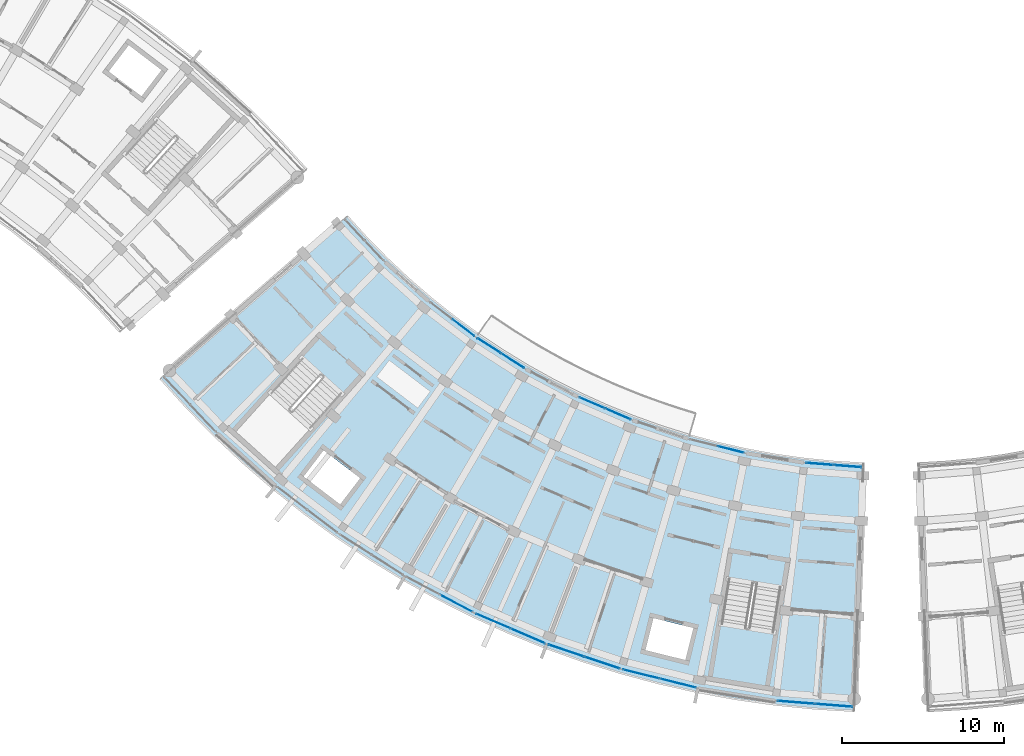
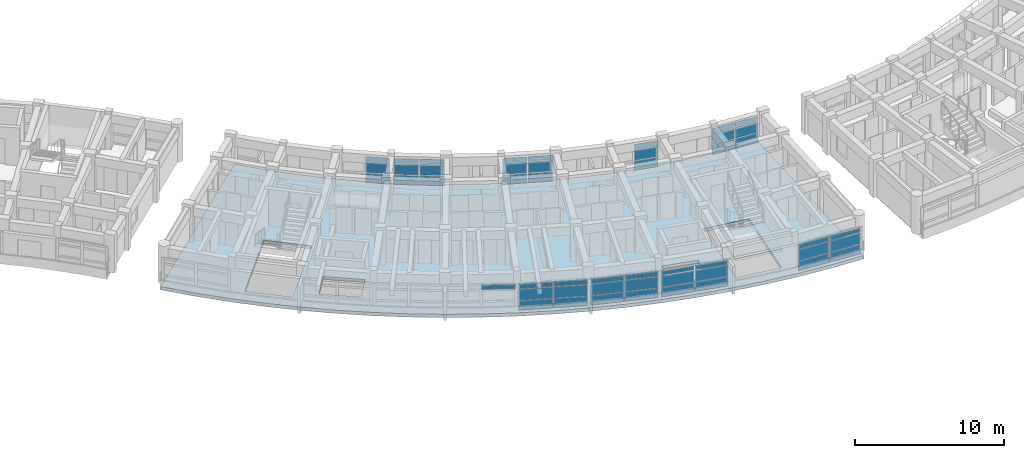
# One storey, part 23 of 56: 49 plates, 2 slabs, 11 elements without a shape of their own.
"""IFC4 building model written with IfcOpenShell, lengths in metres."""

from ifc_helpers import new_model, si_unit, direction, frame, origin, origin_2d, place, context, subcontext, project, spatial, polyline, rectangle, outline, extrude, material, layer, layer_set, type_object, element, aggregate, save


model = new_model("IFC4")

# Units and contexts
model_context = context("Model", 3, precision=1e-05, world=origin(), true_north=direction((0.0, 1.0)))
body_context = subcontext(model_context, "Body", "Model", "MODEL_VIEW")
ifc_project = project(units=[si_unit("LENGTHUNIT", "METRE"), si_unit("AREAUNIT", "SQUARE_METRE"), si_unit("VOLUMEUNIT", "CUBIC_METRE"), si_unit("PLANEANGLEUNIT", "RADIAN"), si_unit("MASSUNIT", "GRAM", prefix="KILO")], contexts=[model_context])

# Site, building, storey
site_placement = place(None, origin())
site = spatial("IfcSite", under=ifc_project, at=site_placement, CompositionType="ELEMENT")
building_placement = place(site_placement, origin())
building = spatial("IfcBuilding", under=site, at=building_placement, Name="Zimvara Arc Housing Community", CompositionType="ELEMENT")
storey_placement = place(building_placement, frame((0.0, 0.0, 11.199951171875)))
storey = spatial("IfcBuildingStorey", under=building, at=storey_placement, Name="L03", CompositionType="ELEMENT", Elevation=11.199951171875)

# Curtain wall, plates
ifc_material_1 = material(Name="Anodised Aluminium AW-6063", Category="aluminium")
curtain_wall_type_1 = type_object("IfcCurtainWallType", Name="CW-SYS-08", PredefinedType="USERDEFINED", material=ifc_material_1)
curtain_wall_1_placement = place(storey_placement, origin())
curtain_wall_1 = element("IfcCurtainWall", 1, at=curtain_wall_1_placement, inside=storey, type_object=curtain_wall_type_1, Name="cw:blkC:L03:in:b3", ObjectType="CURTAIN WALL", PredefinedType="USERDEFINED")
ifc_material_2 = material(Name="Pale-Gold Anodised Aluminium Spandrel Panel", Category="aluminium")
ifc_layer_1 = layer(ifc_material_2, 0.035888671875)
ifc_layer_set_1 = layer_set([ifc_layer_1], Name="Pale-Gold Anodised Aluminium Spandrel Panel")
plate_type_1 = type_object("IfcPlateType", Name="CWP-GLD-36", PredefinedType="CURTAIN_PANEL", material=ifc_layer_set_1)
plate_1_placement = place(storey_placement, frame((101.21875, 72.775634765625, 0.065185546875), z_axis=(0.0, 0.0, 1.0), x_axis=(0.842264751752, -0.539064085203, 0.0)))
plate_1 = element("IfcPlate", 2, at=plate_1_placement, type_object=plate_type_1, Name="CW08 panel 1.1", PredefinedType="CURTAIN_PANEL", context=body_context, shape_type="SweptSolid", body=[
    extrude(rectangle(XDim=1.664306640625, YDim=0.035888671875, at=origin_2d()), origin(), (0.0, 0.0, 1.0), 0.75244140625),
])
plate_2_placement = place(storey_placement, frame((101.21875, 72.775634765625, 0.88232421875), z_axis=(0.0, 0.0, 1.0), x_axis=(0.842264751752, -0.539064085203, 0.0)))
plate_2 = element("IfcPlate", 3, at=plate_2_placement, type_object=plate_type_1, Name="CW08 panel 1.2", PredefinedType="CURTAIN_PANEL", context=body_context, shape_type="SweptSolid", body=[
    extrude(rectangle(XDim=1.664306640625, YDim=0.035888671875, at=origin_2d()), origin(), (0.0, 0.0, 1.0), 0.885009765625),
])
plate_3_placement = place(storey_placement, frame((101.21875, 72.775634765625, 1.83251953125), z_axis=(0.0, 0.0, 1.0), x_axis=(0.842264751752, -0.539064085203, 0.0)))
plate_3 = element("IfcPlate", 4, at=plate_3_placement, type_object=plate_type_1, Name="CW08 panel 1.3", PredefinedType="CURTAIN_PANEL", context=body_context, shape_type="SweptSolid", body=[
    extrude(rectangle(XDim=1.664306640625, YDim=0.035888671875, at=origin_2d()), origin(), (0.0, 0.0, 1.0), 0.3525390625),
])
plate_4_placement = place(storey_placement, frame((102.67529296875, 71.843505859375, 0.065185546875), z_axis=(0.0, 0.0, 1.0), x_axis=(0.842264751752, -0.539064085203, 0.0)))
plate_4 = element("IfcPlate", 5, at=plate_4_placement, type_object=plate_type_1, Name="CW08 panel 2.1", PredefinedType="CURTAIN_PANEL", context=body_context, shape_type="SweptSolid", body=[
    extrude(rectangle(XDim=1.664306640625, YDim=0.035888671875, at=origin_2d()), origin(), (0.0, 0.0, 1.0), 0.75244140625),
])
plate_5_placement = place(storey_placement, frame((102.67529296875, 71.843505859375, 0.88232421875), z_axis=(0.0, 0.0, 1.0), x_axis=(0.842264751752, -0.539064085203, 0.0)))
plate_5 = element("IfcPlate", 6, at=plate_5_placement, type_object=plate_type_1, Name="CW08 panel 2.2", PredefinedType="CURTAIN_PANEL", context=body_context, shape_type="SweptSolid", body=[
    extrude(rectangle(XDim=1.664306640625, YDim=0.035888671875, at=origin_2d()), origin(), (0.0, 0.0, 1.0), 0.885009765625),
])
plate_6_placement = place(storey_placement, frame((102.67529296875, 71.843505859375, 1.83251953125), z_axis=(0.0, 0.0, 1.0), x_axis=(0.842264751752, -0.539064085203, 0.0)))
plate_6 = element("IfcPlate", 7, at=plate_6_placement, type_object=plate_type_1, Name="CW08 panel 2.3", PredefinedType="CURTAIN_PANEL", context=body_context, shape_type="SweptSolid", body=[
    extrude(rectangle(XDim=1.664306640625, YDim=0.035888671875, at=origin_2d()), origin(), (0.0, 0.0, 1.0), 0.3525390625),
])
aggregate(curtain_wall_1, [plate_1, plate_2, plate_3, plate_4, plate_5, plate_6])

ifc_material_3 = material(Name="Anodised Aluminium AW-6063", Category="aluminium")
curtain_wall_type_2 = type_object("IfcCurtainWallType", Name="CW-SYS-04", PredefinedType="USERDEFINED", material=ifc_material_3)
curtain_wall_2_placement = place(storey_placement, origin())
curtain_wall_2 = element("IfcCurtainWall", 8, at=curtain_wall_2_placement, inside=storey, type_object=curtain_wall_type_2, Name="cw:blkC:L03:out:b6", ObjectType="CURTAIN WALL", PredefinedType="USERDEFINED")
plate_7_placement = place(storey_placement, frame((105.970458984375, 53.993408203125, 0.065185546875), z_axis=(0.0, 0.0, 1.0), x_axis=(0.947879647164, -0.318628583921, 0.0)))
plate_7 = element("IfcPlate", 9, at=plate_7_placement, type_object=plate_type_1, Name="CW04 panel 1.1", PredefinedType="CURTAIN_PANEL", context=body_context, shape_type="SweptSolid", body=[
    extrude(rectangle(XDim=2.266845703125, YDim=0.035888671875, at=origin_2d()), origin(), (0.0, 0.0, 1.0), 0.75244140625),
])
plate_8_placement = place(storey_placement, frame((105.970458984375, 53.993408203125, 0.88232421875), z_axis=(0.0, 0.0, 1.0), x_axis=(0.947879647164, -0.318628583921, 0.0)))
plate_8 = element("IfcPlate", 10, at=plate_8_placement, type_object=plate_type_1, Name="CW04 panel 1.2", PredefinedType="CURTAIN_PANEL", context=body_context, shape_type="SweptSolid", body=[
    extrude(rectangle(XDim=2.266845703125, YDim=0.035888671875, at=origin_2d()), origin(), (0.0, 0.0, 1.0), 0.885009765625),
])
plate_9_placement = place(storey_placement, frame((105.970458984375, 53.993408203125, 1.83251953125), z_axis=(0.0, 0.0, 1.0), x_axis=(0.947879647164, -0.318628583921, 0.0)))
plate_9 = element("IfcPlate", 11, at=plate_9_placement, type_object=plate_type_1, Name="CW04 panel 1.3", PredefinedType="CURTAIN_PANEL", context=body_context, shape_type="SweptSolid", body=[
    extrude(rectangle(XDim=2.266845703125, YDim=0.035888671875, at=origin_2d()), origin(), (0.0, 0.0, 1.0), 0.3525390625),
])
plate_10_placement = place(storey_placement, frame((108.180908203125, 53.250244140625, 0.065185546875), z_axis=(0.0, 0.0, 1.0), x_axis=(0.947879647164, -0.318628583921, 0.0)))
plate_10 = element("IfcPlate", 12, at=plate_10_placement, type_object=plate_type_1, Name="CW04 panel 2.1", PredefinedType="CURTAIN_PANEL", context=body_context, shape_type="SweptSolid", body=[
    extrude(rectangle(XDim=2.266845703125, YDim=0.035888671875, at=origin_2d()), origin(), (0.0, 0.0, 1.0), 0.75244140625),
])
plate_11_placement = place(storey_placement, frame((108.180908203125, 53.250244140625, 0.88232421875), z_axis=(0.0, 0.0, 1.0), x_axis=(0.947879647164, -0.318628583921, 0.0)))
plate_11 = element("IfcPlate", 13, at=plate_11_placement, type_object=plate_type_1, Name="CW04 panel 2.2", PredefinedType="CURTAIN_PANEL", context=body_context, shape_type="SweptSolid", body=[
    extrude(rectangle(XDim=2.266845703125, YDim=0.035888671875, at=origin_2d()), origin(), (0.0, 0.0, 1.0), 0.885009765625),
])
plate_12_placement = place(storey_placement, frame((108.180908203125, 53.250244140625, 1.83251953125), z_axis=(0.0, 0.0, 1.0), x_axis=(0.947879647164, -0.318628583921, 0.0)))
plate_12 = element("IfcPlate", 14, at=plate_12_placement, type_object=plate_type_1, Name="CW04 panel 2.3", PredefinedType="CURTAIN_PANEL", context=body_context, shape_type="SweptSolid", body=[
    extrude(rectangle(XDim=2.266845703125, YDim=0.035888671875, at=origin_2d()), origin(), (0.0, 0.0, 1.0), 0.3525390625),
])
aggregate(curtain_wall_2, [plate_7, plate_8, plate_9, plate_10, plate_11, plate_12])

curtain_wall_3_placement = place(storey_placement, origin())
curtain_wall_3 = element("IfcCurtainWall", 15, at=curtain_wall_3_placement, inside=storey, type_object=curtain_wall_type_1, Name="cw:blkC:L03:in:b9", ObjectType="CURTAIN WALL", PredefinedType="USERDEFINED")
plate_13_placement = place(storey_placement, frame((121.589111328125, 65.485595703125, 0.065185546875), z_axis=(0.0, 0.0, 1.0), x_axis=(0.996862343506, -0.079154709897, 0.0)))
plate_13 = element("IfcPlate", 16, at=plate_13_placement, type_object=plate_type_1, Name="CW08 panel 1.1", PredefinedType="CURTAIN_PANEL", context=body_context, shape_type="SweptSolid", body=[
    extrude(rectangle(XDim=1.664306640625, YDim=0.035888671875, at=origin_2d()), origin(), (0.0, 0.0, 1.0), 0.75244140625),
])
plate_14_placement = place(storey_placement, frame((121.589111328125, 65.485595703125, 0.88232421875), z_axis=(0.0, 0.0, 1.0), x_axis=(0.996862343506, -0.079154709897, 0.0)))
plate_14 = element("IfcPlate", 17, at=plate_14_placement, type_object=plate_type_1, Name="CW08 panel 1.2", PredefinedType="CURTAIN_PANEL", context=body_context, shape_type="SweptSolid", body=[
    extrude(rectangle(XDim=1.664306640625, YDim=0.035888671875, at=origin_2d()), origin(), (0.0, 0.0, 1.0), 0.885009765625),
])
plate_15_placement = place(storey_placement, frame((121.589111328125, 65.485595703125, 1.83251953125), z_axis=(0.0, 0.0, 1.0), x_axis=(0.996862343506, -0.079154709897, 0.0)))
plate_15 = element("IfcPlate", 18, at=plate_15_placement, type_object=plate_type_1, Name="CW08 panel 1.3", PredefinedType="CURTAIN_PANEL", context=body_context, shape_type="SweptSolid", body=[
    extrude(rectangle(XDim=1.664306640625, YDim=0.035888671875, at=origin_2d()), origin(), (0.0, 0.0, 1.0), 0.3525390625),
])
plate_16_placement = place(storey_placement, frame((123.31298828125, 65.3486328125, 0.065185546875), z_axis=(0.0, 0.0, 1.0), x_axis=(0.996862343506, -0.079154709897, 0.0)))
plate_16 = element("IfcPlate", 19, at=plate_16_placement, type_object=plate_type_1, Name="CW08 panel 2.1", PredefinedType="CURTAIN_PANEL", context=body_context, shape_type="SweptSolid", body=[
    extrude(rectangle(XDim=1.664306640625, YDim=0.035888671875, at=origin_2d()), origin(), (0.0, 0.0, 1.0), 0.75244140625),
])
plate_17_placement = place(storey_placement, frame((123.31298828125, 65.3486328125, 0.88232421875), z_axis=(0.0, 0.0, 1.0), x_axis=(0.996862343506, -0.079154709897, 0.0)))
plate_17 = element("IfcPlate", 20, at=plate_17_placement, type_object=plate_type_1, Name="CW08 panel 2.2", PredefinedType="CURTAIN_PANEL", context=body_context, shape_type="SweptSolid", body=[
    extrude(rectangle(XDim=1.664306640625, YDim=0.035888671875, at=origin_2d()), origin(), (0.0, 0.0, 1.0), 0.885009765625),
])
plate_18_placement = place(storey_placement, frame((123.31298828125, 65.3486328125, 1.83251953125), z_axis=(0.0, 0.0, 1.0), x_axis=(0.996862343506, -0.079154709897, 0.0)))
plate_18 = element("IfcPlate", 21, at=plate_18_placement, type_object=plate_type_1, Name="CW08 panel 2.3", PredefinedType="CURTAIN_PANEL", context=body_context, shape_type="SweptSolid", body=[
    extrude(rectangle(XDim=1.664306640625, YDim=0.035888671875, at=origin_2d()), origin(), (0.0, 0.0, 1.0), 0.3525390625),
])
aggregate(curtain_wall_3, [plate_13, plate_14, plate_15, plate_16, plate_17, plate_18])

# Curtain wall, plate
ifc_material_4 = material(Name="Anodised Aluminium AW-6063", Category="aluminium")
curtain_wall_type_3 = type_object("IfcCurtainWallType", Name="CW-SYS-01", PredefinedType="USERDEFINED", material=ifc_material_4)
curtain_wall_4_placement = place(storey_placement, origin())
curtain_wall_4 = element("IfcCurtainWall", 22, at=curtain_wall_4_placement, inside=storey, type_object=curtain_wall_type_3, Name="cw:blkC:L03:out:b4", ObjectType="CURTAIN WALL", PredefinedType="USERDEFINED")
ifc_material_5 = material(Name="Solar Control Low-E Double Glazing", Category="glass")
ifc_layer_2 = layer(ifc_material_5, 0.02392578125)
ifc_layer_set_2 = layer_set([ifc_layer_2], Name="Solar Control Low-E Double Glazing")
plate_type_2 = type_object("IfcPlateType", Name="CWP-GLZ-24", PredefinedType="CURTAIN_PANEL", material=ifc_layer_set_2)
plate_19_placement = place(storey_placement, frame((99.2109375, 56.89892578125, 1.83251953125), z_axis=(0.0, 0.0, 1.0), x_axis=(0.883438614651, -0.468546917761, 0.0)))
plate_19 = element("IfcPlate", 23, at=plate_19_placement, type_object=plate_type_2, Name="CW01 panel 2.3", PredefinedType="CURTAIN_PANEL", context=body_context, shape_type="SweptSolid", body=[
    extrude(rectangle(XDim=2.266845703125, YDim=0.02392578125, at=origin_2d()), origin(), (0.0, 0.0, 1.0), 0.3525390625),
])
aggregate(curtain_wall_4, [plate_19])

# Curtain wall, plates
ifc_material_6 = material(Name="Anodised Aluminium AW-6063", Category="aluminium")
curtain_wall_type_4 = type_object("IfcCurtainWallType", Name="CW-SYS-05", PredefinedType="USERDEFINED", material=ifc_material_6)
curtain_wall_5_placement = place(storey_placement, origin())
curtain_wall_5 = element("IfcCurtainWall", 24, at=curtain_wall_5_placement, inside=storey, type_object=curtain_wall_type_4, Name="cw:blkC:L03:out:b7", ObjectType="CURTAIN WALL", PredefinedType="USERDEFINED")
plate_20_placement = place(storey_placement, frame((110.59521484375, 52.547119140625, 0.065185546875), z_axis=(0.0, 0.0, 1.0), x_axis=(0.970716068627, -0.240229711131, 0.0)))
plate_20 = element("IfcPlate", 25, at=plate_20_placement, type_object=plate_type_2, Name="CW05 panel 1.1", PredefinedType="CURTAIN_PANEL", context=body_context, shape_type="SweptSolid", body=[
    extrude(rectangle(XDim=2.266845703125, YDim=0.02392578125, at=origin_2d()), origin(), (0.0, 0.0, 1.0), 0.75244140625),
])
plate_21_placement = place(storey_placement, frame((110.59521484375, 52.547119140625, 0.88232421875), z_axis=(0.0, 0.0, 1.0), x_axis=(0.970716068627, -0.240229711131, 0.0)))
plate_21 = element("IfcPlate", 26, at=plate_21_placement, type_object=plate_type_2, Name="CW05 panel 1.2", PredefinedType="CURTAIN_PANEL", context=body_context, shape_type="SweptSolid", body=[
    extrude(rectangle(XDim=2.266845703125, YDim=0.02392578125, at=origin_2d()), origin(), (0.0, 0.0, 1.0), 0.885009765625),
])
plate_22_placement = place(storey_placement, frame((110.59521484375, 52.547119140625, 1.83251953125), z_axis=(0.0, 0.0, 1.0), x_axis=(0.970716068627, -0.240229711131, 0.0)))
plate_22 = element("IfcPlate", 27, at=plate_22_placement, type_object=plate_type_2, Name="CW05 panel 1.3", PredefinedType="CURTAIN_PANEL", context=body_context, shape_type="SweptSolid", body=[
    extrude(rectangle(XDim=2.266845703125, YDim=0.02392578125, at=origin_2d()), origin(), (0.0, 0.0, 1.0), 0.3525390625),
])
plate_23_placement = place(storey_placement, frame((112.85888671875, 51.98681640625, 0.065185546875), z_axis=(0.0, 0.0, 1.0), x_axis=(0.970716068627, -0.240229711131, 0.0)))
plate_23 = element("IfcPlate", 28, at=plate_23_placement, type_object=plate_type_2, Name="CW05 panel 2.1", PredefinedType="CURTAIN_PANEL", context=body_context, shape_type="SweptSolid", body=[
    extrude(rectangle(XDim=2.266845703125, YDim=0.02392578125, at=origin_2d()), origin(), (0.0, 0.0, 1.0), 0.75244140625),
])
plate_24_placement = place(storey_placement, frame((112.85888671875, 51.98681640625, 0.88232421875), z_axis=(0.0, 0.0, 1.0), x_axis=(0.970716068627, -0.240229711131, 0.0)))
plate_24 = element("IfcPlate", 29, at=plate_24_placement, type_object=plate_type_2, Name="CW05 panel 2.2", PredefinedType="CURTAIN_PANEL", context=body_context, shape_type="SweptSolid", body=[
    extrude(rectangle(XDim=2.266845703125, YDim=0.02392578125, at=origin_2d()), origin(), (0.0, 0.0, 1.0), 0.885009765625),
])
plate_25_placement = place(storey_placement, frame((112.85888671875, 51.98681640625, 1.83251953125), z_axis=(0.0, 0.0, 1.0), x_axis=(0.970716068627, -0.240229711131, 0.0)))
plate_25 = element("IfcPlate", 30, at=plate_25_placement, type_object=plate_type_2, Name="CW05 panel 2.3", PredefinedType="CURTAIN_PANEL", context=body_context, shape_type="SweptSolid", body=[
    extrude(rectangle(XDim=2.266845703125, YDim=0.02392578125, at=origin_2d()), origin(), (0.0, 0.0, 1.0), 0.3525390625),
])
aggregate(curtain_wall_5, [plate_20, plate_21, plate_22, plate_23, plate_24, plate_25])

ifc_material_7 = material(Name="Anodised Aluminium AW-6063", Category="aluminium")
curtain_wall_type_5 = type_object("IfcCurtainWallType", Name="CW-SYS-06", PredefinedType="USERDEFINED", material=ifc_material_7)
curtain_wall_6_placement = place(storey_placement, origin())
curtain_wall_6 = element("IfcCurtainWall", 31, at=curtain_wall_6_placement, inside=storey, type_object=curtain_wall_type_5, Name="cw:blkC:L03:in:b2", ObjectType="CURTAIN WALL", PredefinedType="USERDEFINED")
ifc_material_8 = material(Name="Solar Control Low-E Double Glazing", Category="glass")
ifc_layer_3 = layer(ifc_material_8, 0.028076171875)
ifc_layer_set_3 = layer_set([ifc_layer_3], Name="Solar Control Low-E Double Glazing")
plate_type_3 = type_object("IfcPlateType", Name="CWP-GLZ-28", PredefinedType="CURTAIN_PANEL", material=ifc_layer_set_3)
plate_26_placement = place(storey_placement, frame((99.651123046875, 73.87158203125, 0.065185546875), z_axis=(0.0, 0.0, 1.0), x_axis=(0.795473543119, -0.605988318533, 0.0)))
plate_26 = element("IfcPlate", 32, at=plate_26_placement, type_object=plate_type_3, Name="CW06 panel 2.1", PredefinedType="CURTAIN_PANEL", context=body_context, shape_type="SweptSolid", body=[
    extrude(rectangle(XDim=1.664306640625, YDim=0.028076171875, at=origin_2d()), origin(), (0.0, 0.0, 1.0), 0.75244140625),
])
plate_27_placement = place(storey_placement, frame((99.651123046875, 73.87158203125, 0.88232421875), z_axis=(0.0, 0.0, 1.0), x_axis=(0.795473543119, -0.605988318533, 0.0)))
plate_27 = element("IfcPlate", 33, at=plate_27_placement, type_object=plate_type_3, Name="CW06 panel 2.2", PredefinedType="CURTAIN_PANEL", context=body_context, shape_type="SweptSolid", body=[
    extrude(rectangle(XDim=1.664306640625, YDim=0.028076171875, at=origin_2d()), origin(), (0.0, 0.0, 1.0), 0.885009765625),
])
plate_28_placement = place(storey_placement, frame((99.651123046875, 73.87158203125, 1.83251953125), z_axis=(0.0, 0.0, 1.0), x_axis=(0.795473543119, -0.605988318533, 0.0)))
plate_28 = element("IfcPlate", 34, at=plate_28_placement, type_object=plate_type_3, Name="CW06 panel 2.3", PredefinedType="CURTAIN_PANEL", context=body_context, shape_type="SweptSolid", body=[
    extrude(rectangle(XDim=1.664306640625, YDim=0.028076171875, at=origin_2d()), origin(), (0.0, 0.0, 1.0), 0.3525390625),
])
aggregate(curtain_wall_6, [plate_26, plate_27, plate_28])

ifc_material_9 = material(Name="Anodised Aluminium AW-6063", Category="aluminium")
curtain_wall_type_6 = type_object("IfcCurtainWallType", Name="CW-SYS-02", PredefinedType="USERDEFINED", material=ifc_material_9)
curtain_wall_7_placement = place(storey_placement, origin())
curtain_wall_7 = element("IfcCurtainWall", 35, at=curtain_wall_7_placement, inside=storey, type_object=curtain_wall_type_6, Name="cw:blkC:L03:out:b5", ObjectType="CURTAIN WALL", PredefinedType="USERDEFINED")
plate_29_placement = place(storey_placement, frame((101.47900390625, 55.812255859375, 0.065185546875), z_axis=(0.0, 0.0, 1.0), x_axis=(0.918722299363, -0.394904211998, 0.0)))
plate_29 = element("IfcPlate", 36, at=plate_29_placement, type_object=plate_type_3, Name="CW02 panel 1.1", PredefinedType="CURTAIN_PANEL", context=body_context, shape_type="SweptSolid", body=[
    extrude(rectangle(XDim=2.266845703125, YDim=0.028076171875, at=origin_2d()), origin(), (0.0, 0.0, 1.0), 0.75244140625),
])
plate_30_placement = place(storey_placement, frame((101.47900390625, 55.812255859375, 0.88232421875), z_axis=(0.0, 0.0, 1.0), x_axis=(0.918722299363, -0.394904211998, 0.0)))
plate_30 = element("IfcPlate", 37, at=plate_30_placement, type_object=plate_type_3, Name="CW02 panel 1.2", PredefinedType="CURTAIN_PANEL", context=body_context, shape_type="SweptSolid", body=[
    extrude(rectangle(XDim=2.266845703125, YDim=0.028076171875, at=origin_2d()), origin(), (0.0, 0.0, 1.0), 0.885009765625),
])
plate_31_placement = place(storey_placement, frame((101.47900390625, 55.812255859375, 1.83251953125), z_axis=(0.0, 0.0, 1.0), x_axis=(0.918722299363, -0.394904211998, 0.0)))
plate_31 = element("IfcPlate", 38, at=plate_31_placement, type_object=plate_type_3, Name="CW02 panel 1.3", PredefinedType="CURTAIN_PANEL", context=body_context, shape_type="SweptSolid", body=[
    extrude(rectangle(XDim=2.266845703125, YDim=0.028076171875, at=origin_2d()), origin(), (0.0, 0.0, 1.0), 0.3525390625),
])
plate_32_placement = place(storey_placement, frame((103.621337890625, 54.891357421875, 0.065185546875), z_axis=(0.0, 0.0, 1.0), x_axis=(0.918722299363, -0.394904211998, 0.0)))
plate_32 = element("IfcPlate", 39, at=plate_32_placement, type_object=plate_type_3, Name="CW02 panel 2.1", PredefinedType="CURTAIN_PANEL", context=body_context, shape_type="SweptSolid", body=[
    extrude(rectangle(XDim=2.266845703125, YDim=0.028076171875, at=origin_2d()), origin(), (0.0, 0.0, 1.0), 0.75244140625),
])
plate_33_placement = place(storey_placement, frame((103.621337890625, 54.891357421875, 0.88232421875), z_axis=(0.0, 0.0, 1.0), x_axis=(0.918722299363, -0.394904211998, 0.0)))
plate_33 = element("IfcPlate", 40, at=plate_33_placement, type_object=plate_type_3, Name="CW02 panel 2.2", PredefinedType="CURTAIN_PANEL", context=body_context, shape_type="SweptSolid", body=[
    extrude(rectangle(XDim=2.266845703125, YDim=0.028076171875, at=origin_2d()), origin(), (0.0, 0.0, 1.0), 0.885009765625),
])
plate_34_placement = place(storey_placement, frame((103.621337890625, 54.891357421875, 1.83251953125), z_axis=(0.0, 0.0, 1.0), x_axis=(0.918722299363, -0.394904211998, 0.0)))
plate_34 = element("IfcPlate", 41, at=plate_34_placement, type_object=plate_type_3, Name="CW02 panel 2.3", PredefinedType="CURTAIN_PANEL", context=body_context, shape_type="SweptSolid", body=[
    extrude(rectangle(XDim=2.266845703125, YDim=0.028076171875, at=origin_2d()), origin(), (0.0, 0.0, 1.0), 0.3525390625),
])
aggregate(curtain_wall_7, [plate_29, plate_30, plate_31, plate_32, plate_33, plate_34])

curtain_wall_8_placement = place(storey_placement, origin())
curtain_wall_8 = element("IfcCurtainWall", 42, at=curtain_wall_8_placement, inside=storey, type_object=curtain_wall_type_5, Name="cw:blkC:L03:in:b7", ObjectType="CURTAIN WALL", PredefinedType="USERDEFINED")
plate_35_placement = place(storey_placement, frame((116.109375, 66.375, 0.065185546875), z_axis=(0.0, 0.0, 1.0), x_axis=(0.970716537698, -0.240227815706, 0.0)))
plate_35 = element("IfcPlate", 43, at=plate_35_placement, type_object=plate_type_3, Name="CW06 panel 2.1", PredefinedType="CURTAIN_PANEL", context=body_context, shape_type="SweptSolid", body=[
    extrude(rectangle(XDim=1.664306640625, YDim=0.028076171875, at=origin_2d()), origin(), (0.0, 0.0, 1.0), 0.75244140625),
])
plate_36_placement = place(storey_placement, frame((116.109375, 66.375, 0.88232421875), z_axis=(0.0, 0.0, 1.0), x_axis=(0.970716537698, -0.240227815706, 0.0)))
plate_36 = element("IfcPlate", 44, at=plate_36_placement, type_object=plate_type_3, Name="CW06 panel 2.2", PredefinedType="CURTAIN_PANEL", context=body_context, shape_type="SweptSolid", body=[
    extrude(rectangle(XDim=1.664306640625, YDim=0.028076171875, at=origin_2d()), origin(), (0.0, 0.0, 1.0), 0.885009765625),
])
plate_37_placement = place(storey_placement, frame((116.109375, 66.375, 1.83251953125), z_axis=(0.0, 0.0, 1.0), x_axis=(0.970716537698, -0.240227815706, 0.0)))
plate_37 = element("IfcPlate", 45, at=plate_37_placement, type_object=plate_type_3, Name="CW06 panel 2.3", PredefinedType="CURTAIN_PANEL", context=body_context, shape_type="SweptSolid", body=[
    extrude(rectangle(XDim=1.664306640625, YDim=0.028076171875, at=origin_2d()), origin(), (0.0, 0.0, 1.0), 0.3525390625),
])
aggregate(curtain_wall_8, [plate_35, plate_36, plate_37])

ifc_material_10 = material(Name="Anodised Aluminium AW-6063", Category="aluminium")
curtain_wall_type_7 = type_object("IfcCurtainWallType", Name="CW-SYS-03", PredefinedType="USERDEFINED", material=ifc_material_10)
curtain_wall_9_placement = place(storey_placement, origin())
curtain_wall_9 = element("IfcCurtainWall", 46, at=curtain_wall_9_placement, inside=storey, type_object=curtain_wall_type_7, Name="cw:blkC:L03:in:b5", ObjectType="CURTAIN WALL", PredefinedType="USERDEFINED")
ifc_material_11 = material(Name="Acoustic Laminated Solar Glazing", Category="glass")
ifc_layer_4 = layer(ifc_material_11, 0.031982421875)
ifc_layer_set_4 = layer_set([ifc_layer_4], Name="Acoustic Laminated Solar Glazing")
plate_type_4 = type_object("IfcPlateType", Name="CWP-GLZ-32", PredefinedType="CURTAIN_PANEL", material=ifc_layer_set_4)
plate_38_placement = place(storey_placement, frame((107.57958984375, 69.2421875, 0.065185546875), z_axis=(0.0, 0.0, 1.0), x_axis=(0.918722178415, -0.394904493375, 0.0)))
plate_38 = element("IfcPlate", 47, at=plate_38_placement, type_object=plate_type_4, Name="CW03 panel 1.1", PredefinedType="CURTAIN_PANEL", context=body_context, shape_type="SweptSolid", body=[
    extrude(rectangle(XDim=1.664306640625, YDim=0.031982421875, at=origin_2d()), origin(), (0.0, 0.0, 1.0), 0.75244140625),
])
plate_39_placement = place(storey_placement, frame((107.57958984375, 69.2421875, 0.88232421875), z_axis=(0.0, 0.0, 1.0), x_axis=(0.918722178415, -0.394904493375, 0.0)))
plate_39 = element("IfcPlate", 48, at=plate_39_placement, type_object=plate_type_4, Name="CW03 panel 1.2", PredefinedType="CURTAIN_PANEL", context=body_context, shape_type="SweptSolid", body=[
    extrude(rectangle(XDim=1.664306640625, YDim=0.031982421875, at=origin_2d()), origin(), (0.0, 0.0, 1.0), 0.885009765625),
])
plate_40_placement = place(storey_placement, frame((107.57958984375, 69.2421875, 1.83251953125), z_axis=(0.0, 0.0, 1.0), x_axis=(0.918722178415, -0.394904493375, 0.0)))
plate_40 = element("IfcPlate", 49, at=plate_40_placement, type_object=plate_type_4, Name="CW03 panel 1.3", PredefinedType="CURTAIN_PANEL", context=body_context, shape_type="SweptSolid", body=[
    extrude(rectangle(XDim=1.664306640625, YDim=0.031982421875, at=origin_2d()), origin(), (0.0, 0.0, 1.0), 0.3525390625),
])
plate_41_placement = place(storey_placement, frame((109.16845703125, 68.559326171875, 0.065185546875), z_axis=(0.0, 0.0, 1.0), x_axis=(0.918722178415, -0.394904493375, 0.0)))
plate_41 = element("IfcPlate", 50, at=plate_41_placement, type_object=plate_type_4, Name="CW03 panel 2.1", PredefinedType="CURTAIN_PANEL", context=body_context, shape_type="SweptSolid", body=[
    extrude(rectangle(XDim=1.664306640625, YDim=0.031982421875, at=origin_2d()), origin(), (0.0, 0.0, 1.0), 0.75244140625),
])
plate_42_placement = place(storey_placement, frame((109.16845703125, 68.559326171875, 0.88232421875), z_axis=(0.0, 0.0, 1.0), x_axis=(0.918722178415, -0.394904493375, 0.0)))
plate_42 = element("IfcPlate", 51, at=plate_42_placement, type_object=plate_type_4, Name="CW03 panel 2.2", PredefinedType="CURTAIN_PANEL", context=body_context, shape_type="SweptSolid", body=[
    extrude(rectangle(XDim=1.664306640625, YDim=0.031982421875, at=origin_2d()), origin(), (0.0, 0.0, 1.0), 0.885009765625),
])
plate_43_placement = place(storey_placement, frame((109.16845703125, 68.559326171875, 1.83251953125), z_axis=(0.0, 0.0, 1.0), x_axis=(0.918722178415, -0.394904493375, 0.0)))
plate_43 = element("IfcPlate", 52, at=plate_43_placement, type_object=plate_type_4, Name="CW03 panel 2.3", PredefinedType="CURTAIN_PANEL", context=body_context, shape_type="SweptSolid", body=[
    extrude(rectangle(XDim=1.664306640625, YDim=0.031982421875, at=origin_2d()), origin(), (0.0, 0.0, 1.0), 0.3525390625),
])
aggregate(curtain_wall_9, [plate_38, plate_39, plate_40, plate_41, plate_42, plate_43])

ifc_material_12 = material(Name="Anodised Aluminium AW-6063", Category="aluminium")
curtain_wall_type_8 = type_object("IfcCurtainWallType", Name="CW-SYS-07", PredefinedType="USERDEFINED", material=ifc_material_12)
curtain_wall_10_placement = place(storey_placement, origin())
curtain_wall_10 = element("IfcCurtainWall", 53, at=curtain_wall_10_placement, inside=storey, type_object=curtain_wall_type_8, Name="cw:blkC:L03:out:b9", ObjectType="CURTAIN WALL", PredefinedType="USERDEFINED")
plate_44_placement = place(storey_placement, frame((120.121337890625, 50.807861328125, 0.065185546875), z_axis=(0.0, 0.0, 1.0), x_axis=(0.996862418963, -0.079153759607, 0.0)))
plate_44 = element("IfcPlate", 54, at=plate_44_placement, type_object=plate_type_4, Name="CW07 panel 1.1", PredefinedType="CURTAIN_PANEL", context=body_context, shape_type="SweptSolid", body=[
    extrude(rectangle(XDim=2.266845703125, YDim=0.031982421875, at=origin_2d()), origin(), (0.0, 0.0, 1.0), 0.75244140625),
])
plate_45_placement = place(storey_placement, frame((120.121337890625, 50.807861328125, 0.88232421875), z_axis=(0.0, 0.0, 1.0), x_axis=(0.996862418963, -0.079153759607, 0.0)))
plate_45 = element("IfcPlate", 55, at=plate_45_placement, type_object=plate_type_4, Name="CW07 panel 1.2", PredefinedType="CURTAIN_PANEL", context=body_context, shape_type="SweptSolid", body=[
    extrude(rectangle(XDim=2.266845703125, YDim=0.031982421875, at=origin_2d()), origin(), (0.0, 0.0, 1.0), 0.885009765625),
])
plate_46_placement = place(storey_placement, frame((120.121337890625, 50.807861328125, 1.83251953125), z_axis=(0.0, 0.0, 1.0), x_axis=(0.996862418963, -0.079153759607, 0.0)))
plate_46 = element("IfcPlate", 56, at=plate_46_placement, type_object=plate_type_4, Name="CW07 panel 1.3", PredefinedType="CURTAIN_PANEL", context=body_context, shape_type="SweptSolid", body=[
    extrude(rectangle(XDim=2.266845703125, YDim=0.031982421875, at=origin_2d()), origin(), (0.0, 0.0, 1.0), 0.3525390625),
])
plate_47_placement = place(storey_placement, frame((122.446044921875, 50.623291015625, 0.065185546875), z_axis=(0.0, 0.0, 1.0), x_axis=(0.996862418963, -0.079153759607, 0.0)))
plate_47 = element("IfcPlate", 57, at=plate_47_placement, type_object=plate_type_4, Name="CW07 panel 2.1", PredefinedType="CURTAIN_PANEL", context=body_context, shape_type="SweptSolid", body=[
    extrude(rectangle(XDim=2.266845703125, YDim=0.031982421875, at=origin_2d()), origin(), (0.0, 0.0, 1.0), 0.75244140625),
])
plate_48_placement = place(storey_placement, frame((122.446044921875, 50.623291015625, 0.88232421875), z_axis=(0.0, 0.0, 1.0), x_axis=(0.996862418963, -0.079153759607, 0.0)))
plate_48 = element("IfcPlate", 58, at=plate_48_placement, type_object=plate_type_4, Name="CW07 panel 2.2", PredefinedType="CURTAIN_PANEL", context=body_context, shape_type="SweptSolid", body=[
    extrude(rectangle(XDim=2.266845703125, YDim=0.031982421875, at=origin_2d()), origin(), (0.0, 0.0, 1.0), 0.885009765625),
])
plate_49_placement = place(storey_placement, frame((122.446044921875, 50.623291015625, 1.83251953125), z_axis=(0.0, 0.0, 1.0), x_axis=(0.996862418963, -0.079153759607, 0.0)))
plate_49 = element("IfcPlate", 59, at=plate_49_placement, type_object=plate_type_4, Name="CW07 panel 2.3", PredefinedType="CURTAIN_PANEL", context=body_context, shape_type="SweptSolid", body=[
    extrude(rectangle(XDim=2.266845703125, YDim=0.031982421875, at=origin_2d()), origin(), (0.0, 0.0, 1.0), 0.3525390625),
])
aggregate(curtain_wall_10, [plate_44, plate_45, plate_46, plate_47, plate_48, plate_49])

# Stair, slab
ifc_material_13 = material(Name="Concrete C35/45", Category="concrete")
stair_type = type_object("IfcStairType", Name="STR-DL-310-310", PredefinedType="HALF_TURN_STAIR", material=ifc_material_13)
stair_placement = place(storey_placement, origin())
stair = element("IfcStair", 60, at=stair_placement, inside=storey, type_object=stair_type, Name="L03 Block C Exit Stair 2", PredefinedType="HALF_TURN_STAIR")
ifc_material_14 = material(Name="Concrete C35/45", Category="concrete")
ifc_layer_5 = layer(ifc_material_14, 0.199951171875)
ifc_layer_set_5 = layer_set([ifc_layer_5], Name="Concrete C35/45")
slab_type_1 = type_object("IfcSlabType", Name="SLB-STAIR-LND-200", PredefinedType="LANDING", material=ifc_layer_set_5)
slab_1_placement = place(storey_placement, frame((0.0, 0.0, 1.35009765625)))
slab_1 = element("IfcSlab", 61, at=slab_1_placement, type_object=slab_type_1, Name="ST-C2 landing 1", PredefinedType="LANDING", context=body_context, shape_type="SweptSolid", body=[
    extrude(outline(polyline([(115.4853515625, 55.691650390625), (114.942138671875, 52.345458984375), (118.2587890625, 51.80712890625), (118.8017578125, 55.1533203125), (115.4853515625, 55.691650390625)])), origin(), (0.0, 0.0, 1.0), 0.199951171875),
])
aggregate(stair, [slab_1])

# Slab
ifc_material_15 = material(Name="Concrete C35/45", Category="concrete")
ifc_layer_6 = layer(ifc_material_15, 0.258056640625)
ifc_layer_set_6 = layer_set([ifc_layer_6], Name="Concrete C35/45")
slab_type_2 = type_object("IfcSlabType", Name="SLB-VAR-10", PredefinedType="FLOOR", material=ifc_layer_set_6)
slab_2_placement = place(storey_placement, frame((0.0, 0.0, -0.258056640625)))
element("IfcSlab", 62, at=slab_2_placement, inside=storey, type_object=slab_type_2, Name="slab:blkC:L03:main", PredefinedType="FLOOR", context=body_context, shape_type="SweptSolid", body=[
    extrude(outline(polyline([(80.999267578125, 70.7587890625), (82.63330078125, 68.954833984375), (84.339599609375, 67.21923828125), (86.115234375, 65.5546875), (87.95751953125, 63.9638671875), (89.863037109375, 62.44970703125), (91.828857421875, 61.0146484375), (93.851806640625, 59.6611328125), (95.92822265625, 58.39111328125), (98.0546875, 57.20703125), (100.227783203125, 56.11083984375), (102.443603515625, 55.104248046875), (104.698974609375, 54.188720703125), (106.98974609375, 53.366455078125), (109.312255859375, 52.63818359375), (111.662353515625, 52.00537109375), (114.03662109375, 51.468994140625), (116.430419921875, 51.030029296875), (118.840576171875, 50.689208984375), (121.262451171875, 50.447021484375), (123.692138671875, 50.303955078125), (124.275634765625, 65.49267578125), (122.465576171875, 65.599365234375), (120.661376953125, 65.77978515625), (118.865966796875, 66.03369140625), (117.08251953125, 66.360595703125), (115.31396484375, 66.76025390625), (113.56298828125, 67.231689453125), (111.8330078125, 67.774169921875), (110.12646484375, 68.386962890625), (108.4462890625, 69.06884765625), (106.79541015625, 69.818603515625), (105.176513671875, 70.63525390625), (103.59228515625, 71.517333984375), (102.04541015625, 72.46337890625), (100.53857421875, 73.471923828125), (99.07421875, 74.541015625), (97.654541015625, 75.6689453125), (96.2822265625, 76.85400390625), (94.959228515625, 78.093994140625), (93.688232421875, 79.38720703125), (92.470947265625, 80.73095703125), (80.999267578125, 70.7587890625)]), holes=[polyline([(92.150390625, 69.81005859375), (88.070068359375, 65.275390625), (85.6318359375, 67.46923828125), (89.7119140625, 72.00390625), (92.150390625, 69.81005859375)]), polyline([(119.202880859375, 57.874267578125), (118.2255859375, 51.85302734375), (114.988037109375, 52.378662109375), (115.96533203125, 58.399658203125), (119.202880859375, 57.874267578125)]), polyline([(93.29541015625, 64.612060546875), (92.05908203125, 62.9892578125), (89.800048828125, 64.710205078125), (91.036376953125, 66.3330078125), (93.29541015625, 64.612060546875)]), polyline([(113.80810546875, 55.388916015625), (113.318115234375, 53.40869140625), (110.852294921875, 54.018798828125), (111.342529296875, 55.9990234375), (113.80810546875, 55.388916015625)])]), origin(), (0.0, 0.0, 1.0), 0.258056640625),
])

save(model, "model.ifc")
